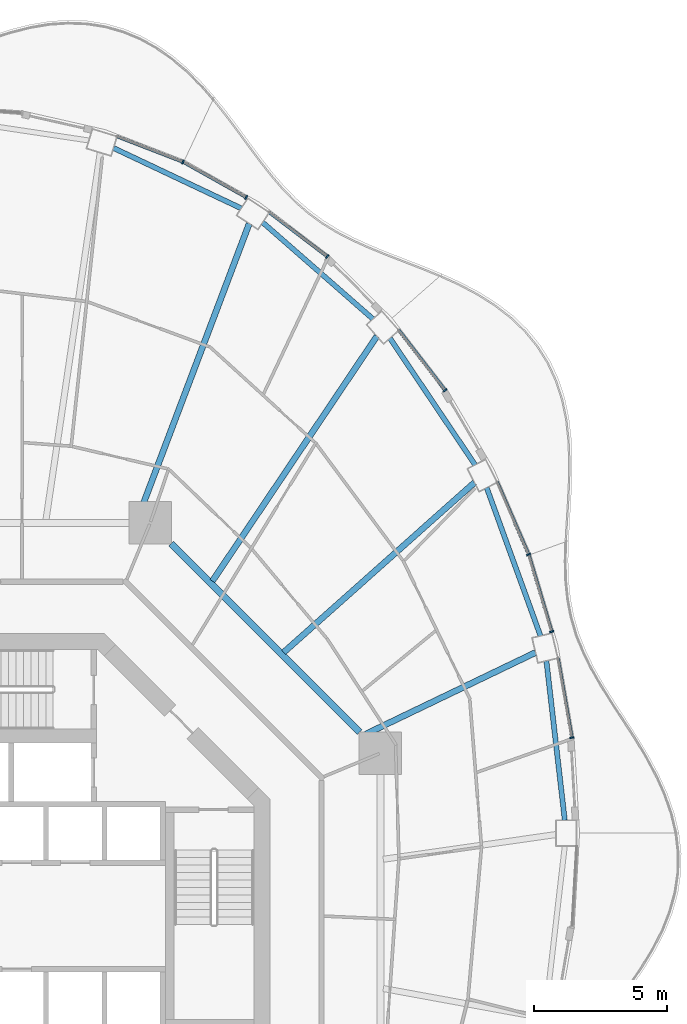
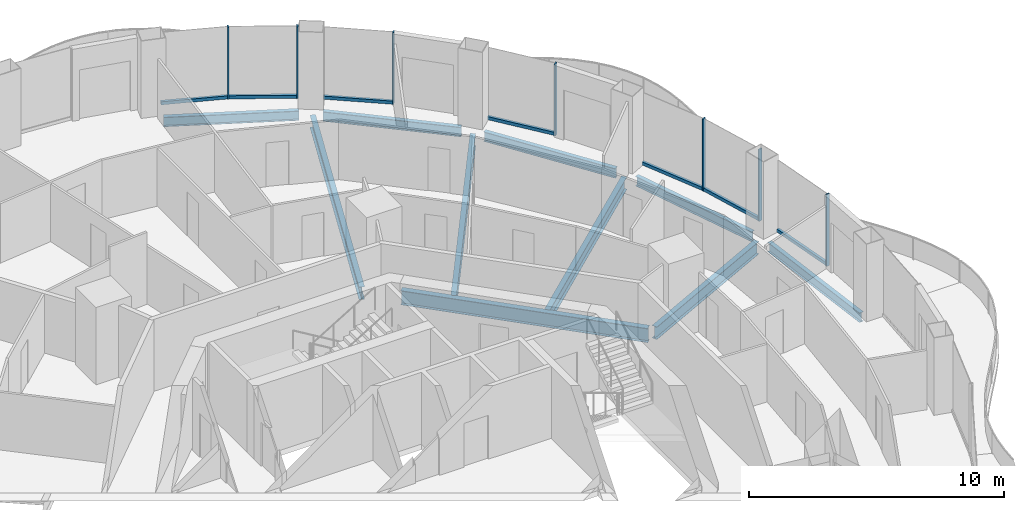
# One storey, part 7 of 18: 14 members, 10 beams, 7 elements without a shape of their own.
"""IFC4 building model written with IfcOpenShell, lengths in metres."""

import ifcopenshell
import ifcopenshell.guid

model = None  # the IFC model being written
_history = None  # IfcOwnerHistory: only IFC2X3 demands one
_inside = {}  # id of a spatial element -> (the spatial element, [elements in it])
_under = {}  # id of a project, library or spatial element -> (it, [spatial elements below it])
_declared = {}  # id of a project -> (the project, [libraries it declares])
_typed = {}  # id of a type object -> (the type object, [elements of that type])
_made_of = {}  # id of a material, layer set ... -> (it, [elements and type objects made of it])


def new_model(schema):
    """Start an empty IFC model of exactly this schema.

    Asked for "IFC4X3", IfcOpenShell would pick the latest addendum, in which some entities
    have other attributes; the version numbers below select the first issue.
    IFC2X3 requires an IfcOwnerHistory on every rooted entity: one is made here for all.
    """
    global model, _history
    if schema == "IFC4X3":
        model = ifcopenshell.file(schema_version=(4, 3, 0, 0))
    else:
        model = ifcopenshell.file(schema=schema)
    _inside.clear()
    _under.clear()
    _declared.clear()
    _typed.clear()
    _made_of.clear()
    _history = None
    if model.schema == "IFC2X3":
        org = make("IfcOrganization", Name="unknown")
        user = make(
            "IfcPersonAndOrganization",
            ThePerson=make("IfcPerson", FamilyName="unknown"),
            TheOrganization=org,
        )
        app = make(
            "IfcApplication",
            ApplicationDeveloper=org,
            Version="unknown",
            ApplicationFullName="unknown",
            ApplicationIdentifier="unknown",
        )
        _history = make(
            "IfcOwnerHistory",
            OwningUser=user,
            OwningApplication=app,
            ChangeAction="ADDED",
            CreationDate=0,
        )
    return model


def make(cls, **values):
    """One entity of the class cls with the attributes given. An attribute that is None is left unset."""
    return model.create_entity(
        cls, **{name: value for name, value in values.items() if value is not None}
    )


def rooted(cls, **values):
    """An entity with a GlobalId (a new one), such as an element, a storey or a relation."""
    return make(cls, GlobalId=ifcopenshell.guid.new(), OwnerHistory=_history, **values)


def si_unit(unit_type, name, prefix=None):
    """IfcSIUnit, for example si_unit("LENGTHUNIT", "METRE", prefix="MILLI")."""
    return make("IfcSIUnit", UnitType=unit_type, Prefix=prefix, Name=name)


def assignment(units):
    """IfcUnitAssignment: the units of a project."""
    return None if units is None else make("IfcUnitAssignment", Units=units)


def point(xyz):
    """IfcCartesianPoint."""
    return None if xyz is None else make("IfcCartesianPoint", Coordinates=xyz)


def direction(xyz):
    """IfcDirection."""
    return None if xyz is None else make("IfcDirection", DirectionRatios=xyz)


def frame(location, z_axis=None, x_axis=None):
    """IfcAxis2Placement3D, a coordinate frame: its origin and axes. An axis left out is left unset."""
    return make(
        "IfcAxis2Placement3D",
        Location=point(location),
        Axis=direction(z_axis),
        RefDirection=direction(x_axis),
    )


def frame_2d(location, x_axis=None):
    """IfcAxis2Placement2D, a coordinate frame in the plane: its origin and x axis."""
    return make(
        "IfcAxis2Placement2D", Location=point(location), RefDirection=direction(x_axis)
    )


def origin():
    """The frame at (0, 0, 0) with its axes left unset."""
    return frame((0.0, 0.0, 0.0))


def origin_2d():
    """The frame at (0, 0) in the plane with its x axis left unset."""
    return frame_2d((0.0, 0.0))


def place(relative_to, where):
    """IfcLocalPlacement: puts the frame where relative to a parent placement (None: the world)."""
    return make(
        "IfcLocalPlacement", PlacementRelTo=relative_to, RelativePlacement=where
    )


def context(
    kind, dimensions, precision=None, world=None, true_north=None, identifier=None
):
    """IfcGeometricRepresentationContext, for example the 3D "Model" context."""
    return make(
        "IfcGeometricRepresentationContext",
        ContextIdentifier=identifier,
        ContextType=kind,
        CoordinateSpaceDimension=dimensions,
        Precision=precision,
        WorldCoordinateSystem=world,
        TrueNorth=true_north,
    )


def subcontext(parent, identifier, kind, view, scale=None):
    """IfcGeometricRepresentationSubContext, for example "Body" below "Model"."""
    return make(
        "IfcGeometricRepresentationSubContext",
        ContextIdentifier=identifier,
        ContextType=kind,
        ParentContext=parent,
        TargetScale=scale,
        TargetView=view,
    )


def project(units=None, contexts=None):
    """IfcProject with its units and contexts."""
    return rooted(
        "IfcProject",
        Name="project",
        RepresentationContexts=contexts,
        UnitsInContext=assignment(units),
    )


def spatial(cls, under=None, at=None, **own):
    """A site, building, storey or space (cls), placed at a placement, below another one or the project."""
    s = rooted(cls, ObjectPlacement=at, **own)
    if under is not None:
        _under.setdefault(under.id(), (under, []))[1].append(s)
    return s


def profile(cls, at=None, kind="AREA", **sizes):
    """A parametric profile (cls). Its sizes go by their IFC names, for example OverallWidth=200.0."""
    return make(cls, ProfileType=kind, Position=at, **sizes)


def rectangle(**sizes):
    """IfcRectangleProfileDef."""
    return profile("IfcRectangleProfileDef", **sizes)


def i_section(**sizes):
    """IfcIShapeProfileDef."""
    return profile("IfcIShapeProfileDef", **sizes)


def extrude(swept, where, along, depth):
    """IfcExtrudedAreaSolid: the profile swept, set in the frame where, extruded along a direction by depth."""
    return make(
        "IfcExtrudedAreaSolid",
        SweptArea=swept,
        Position=where,
        ExtrudedDirection=direction(along),
        Depth=depth,
    )


def shape(context_of_items, identifier, shape_type, items):
    """IfcShapeRepresentation: the items that make up one representation, for example the "Body"."""
    return make(
        "IfcShapeRepresentation",
        ContextOfItems=context_of_items,
        RepresentationIdentifier=identifier,
        RepresentationType=shape_type,
        Items=items,
    )


def material(Name=None, Category=None):
    """IfcMaterial."""
    return make("IfcMaterial", Name=Name, Category=Category)


def layer(
    of_material, thickness, ventilated=None, Name=None, Category=None, Priority=None
):
    """IfcMaterialLayer: one layer of a wall or slab, of a material (None: an air gap)."""
    return make(
        "IfcMaterialLayer",
        Material=of_material,
        LayerThickness=thickness,
        IsVentilated=ventilated,
        Name=Name,
        Category=Category,
        Priority=Priority,
    )


def layer_set(layers, Name=None):
    """IfcMaterialLayerSet."""
    return make("IfcMaterialLayerSet", MaterialLayers=layers, LayerSetName=Name)


def material_profile(
    of_material, cross_section, Name=None, Category=None, Priority=None
):
    """IfcMaterialProfile: a cross section and its material."""
    return make(
        "IfcMaterialProfile",
        Name=Name,
        Material=of_material,
        Profile=cross_section,
        Priority=Priority,
        Category=Category,
    )


def profile_set(profiles, Name=None, composite=None):
    """IfcMaterialProfileSet."""
    return make(
        "IfcMaterialProfileSet",
        Name=Name,
        MaterialProfiles=profiles,
        CompositeProfile=composite,
    )


def made_of(thing, what):
    """Note that an element or type object is made of a material, layer set ...; save() writes the relation."""
    if what is not None:
        _made_of.setdefault(what.id(), (what, []))[1].append(thing)
    return thing


def type_object(cls, material=None, **own):
    """A type object (cls), such as IfcWallType, which elements share."""
    return made_of(rooted(cls, **own), material)


def element(
    cls,
    number,
    at=None,
    inside=None,
    cuts=None,
    type_object=None,
    material=None,
    context=None,
    identifier="Body",
    shape_type=None,
    held_by="IfcProductDefinitionShape",
    body=None,
    shapes=None,
    **own,
):
    """One element of the class cls, such as IfcWall. Its Tag is "e" and its number.

    at: its placement. inside: the storey or other place that contains it. cuts: it is an
    opening in that element (IfcRelVoidsElement). A single representation is given by context,
    identifier, shape_type and body (its items); several are given by shapes. held_by: the class
    of the entity that holds the representations. save() writes the other relations.
    """
    e = rooted(cls, Tag="e%d" % number, ObjectPlacement=at, **own)
    if body is not None:
        shapes = [shape(context, identifier, shape_type, body)]
    if shapes is not None:
        e.Representation = make(held_by, Representations=shapes)
    if inside is not None:
        _inside.setdefault(inside.id(), (inside, []))[1].append(e)
    if cuts is not None:
        rooted(
            "IfcRelVoidsElement", RelatingBuildingElement=cuts, RelatedOpeningElement=e
        )
    if type_object is not None:
        _typed.setdefault(type_object.id(), (type_object, []))[1].append(e)
    return made_of(e, material)


def aggregate(whole, parts):
    """IfcRelAggregates: a whole, such as a stair, and the parts it consists of."""
    return rooted("IfcRelAggregates", RelatingObject=whole, RelatedObjects=parts)


def save(model, path):
    """Write the relations noted so far, then the file.

    IfcRelAggregates (storeys below a building ...), IfcRelContainedInSpatialStructure (elements
    in a storey), IfcRelDefinesByType, IfcRelAssociatesMaterial and IfcRelDeclares: one each for
    every whole, place, type object, material and project.
    """
    for whole, parts in _under.values():
        aggregate(whole, parts)
    for where, things in _inside.values():
        rooted(
            "IfcRelContainedInSpatialStructure",
            RelatedElements=things,
            RelatingStructure=where,
        )
    for kind, things in _typed.values():
        rooted("IfcRelDefinesByType", RelatedObjects=things, RelatingType=kind)
    for what, things in _made_of.values():
        rooted("IfcRelAssociatesMaterial", RelatedObjects=things, RelatingMaterial=what)
    for by, libraries in _declared.values():
        rooted("IfcRelDeclares", RelatingContext=by, RelatedDefinitions=libraries)
    model.write(path)


model = new_model("IFC4")

# Units and contexts
model_context = context("Model", 3, precision=1e-05, world=origin(), true_north=direction((0.0, 1.0)))
body_context = subcontext(model_context, "Body", "Model", "MODEL_VIEW")
ifc_project = project(units=[si_unit("LENGTHUNIT", "METRE"), si_unit("AREAUNIT", "SQUARE_METRE"), si_unit("VOLUMEUNIT", "CUBIC_METRE"), si_unit("PLANEANGLEUNIT", "RADIAN"), si_unit("MASSUNIT", "GRAM", prefix="KILO")], contexts=[model_context])

# Site, building, storey
site_placement = place(None, origin())
site = spatial("IfcSite", under=ifc_project, at=site_placement, CompositionType="ELEMENT")
building_placement = place(site_placement, origin())
building = spatial("IfcBuilding", under=site, at=building_placement, Name="Nagisa Residences", CompositionType="ELEMENT")
storey_placement = place(building_placement, frame((0.0, 0.0, 241.800048828125)))
storey = spatial("IfcBuildingStorey", under=building, at=storey_placement, Name="L61", CompositionType="ELEMENT", Elevation=241.800048828125)

# Curtain wall, member
ifc_material_1 = material(Name="Concrete-coloured aluminium curtain wall system", Category="concrete")
ifc_layer = layer(ifc_material_1, 0.159912109375)
ifc_layer_set = layer_set([ifc_layer], Name="CW1 CURTAIN WALL")
curtain_wall_type = type_object("IfcCurtainWallType", Name="CW1 CURTAIN WALL", PredefinedType="NOTDEFINED", material=ifc_layer_set)
curtain_wall_1_placement = place(storey_placement, origin())
curtain_wall_1 = element("IfcCurtainWall", 1, at=curtain_wall_1_placement, inside=storey, type_object=curtain_wall_type, Name="cw:CW1:L61:01", PredefinedType="NOTDEFINED")
ifc_material_2 = material(Name="Concrete-coloured aluminium", Category="concrete")
ifc_material_profile_1 = material_profile(ifc_material_2, rectangle(XDim=0.159912109375, YDim=0.06005859375, at=origin_2d()), Name="CW1 MULLION 160x60")
ifc_profile_set_1 = profile_set([ifc_material_profile_1], Name="Concrete-coloured aluminium")
member_type_1 = type_object("IfcMemberType", Name="CW1 MULLION 160x60", PredefinedType="MULLION", material=ifc_profile_set_1)
member_1_placement = place(storey_placement, frame((21.980224609375, 6.70849609375, 0.0), z_axis=(0.0, 0.0, 1.0), x_axis=(-0.985063604377, -0.172190868898, 0.0)))
member_1 = element("IfcMember", 2, at=member_1_placement, type_object=member_type_1, Name="CW1 mullion", PredefinedType="MULLION", context=body_context, shape_type="SweptSolid", body=[
    extrude(rectangle(XDim=0.159912109375, YDim=0.06005859375, at=origin_2d()), origin(), (0.0, 0.0, 1.0), 3.43994140625),
])

curtain_wall_2_placement = place(storey_placement, origin())
curtain_wall_2 = element("IfcCurtainWall", 3, at=curtain_wall_2_placement, inside=storey, type_object=curtain_wall_type, Name="cw:CW1:L61:02", PredefinedType="NOTDEFINED")
member_2_placement = place(storey_placement, frame((21.2216796875, 10.691650390625, 0.0), z_axis=(0.0, 0.0, 1.0), x_axis=(-0.958271310082, -0.285860274038, 0.0)))
member_2 = element("IfcMember", 4, at=member_2_placement, type_object=member_type_1, Name="CW1 mullion", PredefinedType="MULLION", context=body_context, shape_type="SweptSolid", body=[
    extrude(rectangle(XDim=0.159912109375, YDim=0.06005859375, at=origin_2d()), origin(), (0.0, 0.0, 1.0), 3.43994140625),
])

curtain_wall_3_placement = place(storey_placement, origin())
curtain_wall_3 = element("IfcCurtainWall", 5, at=curtain_wall_3_placement, inside=storey, type_object=curtain_wall_type, Name="cw:CW1:L61:03", PredefinedType="NOTDEFINED")
member_3_placement = place(storey_placement, frame((20.3525390625, 13.59521484375, 0.0), z_axis=(0.0, 0.0, 1.0), x_axis=(-0.917543276295, -0.397635934147, 0.0)))
member_3 = element("IfcMember", 6, at=member_3_placement, type_object=member_type_1, Name="CW1 mullion", PredefinedType="MULLION", context=body_context, shape_type="SweptSolid", body=[
    extrude(rectangle(XDim=0.159912109375, YDim=0.06005859375, at=origin_2d()), origin(), (0.0, 0.0, 1.0), 3.43994140625),
])

curtain_wall_4_placement = place(storey_placement, origin())
curtain_wall_4 = element("IfcCurtainWall", 7, at=curtain_wall_4_placement, inside=storey, type_object=curtain_wall_type, Name="cw:CW1:L61:05", PredefinedType="NOTDEFINED")
member_4_placement = place(storey_placement, frame((17.21435546875, 19.7666015625, 0.0), z_axis=(0.0, 0.0, 1.0), x_axis=(-0.792070340816, -0.610429828235, 0.0)))
member_4 = element("IfcMember", 8, at=member_4_placement, type_object=member_type_1, Name="CW1 mullion", PredefinedType="MULLION", context=body_context, shape_type="SweptSolid", body=[
    extrude(rectangle(XDim=0.159912109375, YDim=0.06005859375, at=origin_2d()), origin(), (0.0, 0.0, 1.0), 3.43994140625),
])

curtain_wall_5_placement = place(storey_placement, origin())
curtain_wall_5 = element("IfcCurtainWall", 9, at=curtain_wall_5_placement, inside=storey, type_object=curtain_wall_type, Name="cw:CW1:L61:07", PredefinedType="NOTDEFINED")
member_5_placement = place(storey_placement, frame((12.780517578125, 24.802001953125, 0.0), z_axis=(0.0, 0.0, 1.0), x_axis=(-0.605255421737, -0.79603132756, 0.0)))
member_5 = element("IfcMember", 10, at=member_5_placement, type_object=member_type_1, Name="CW1 mullion", PredefinedType="MULLION", context=body_context, shape_type="SweptSolid", body=[
    extrude(rectangle(XDim=0.159912109375, YDim=0.06005859375, at=origin_2d()), origin(), (0.0, 0.0, 1.0), 3.43994140625),
])

curtain_wall_6_placement = place(storey_placement, origin())
curtain_wall_6 = element("IfcCurtainWall", 11, at=curtain_wall_6_placement, inside=storey, type_object=curtain_wall_type, Name="cw:CW1:L61:08", PredefinedType="NOTDEFINED")
member_6_placement = place(storey_placement, frame((9.733642578125, 27.02783203125, 0.0), z_axis=(0.0, 0.0, 1.0), x_axis=(-0.489376918501, -0.872072377523, 0.0)))
member_6 = element("IfcMember", 12, at=member_6_placement, type_object=member_type_1, Name="CW1 mullion", PredefinedType="MULLION", context=body_context, shape_type="SweptSolid", body=[
    extrude(rectangle(XDim=0.159912109375, YDim=0.06005859375, at=origin_2d()), origin(), (0.0, 0.0, 1.0), 3.43994140625),
])

curtain_wall_7_placement = place(storey_placement, origin())
curtain_wall_7 = element("IfcCurtainWall", 13, at=curtain_wall_7_placement, inside=storey, type_object=curtain_wall_type, Name="cw:CW1:L61:09", PredefinedType="NOTDEFINED")
member_7_placement = place(storey_placement, frame((7.3544921875, 28.35888671875, 0.0), z_axis=(0.0, 0.0, 1.0), x_axis=(-0.360327770268, -0.932825759707, 0.0)))
member_7 = element("IfcMember", 14, at=member_7_placement, type_object=member_type_1, Name="CW1 mullion", PredefinedType="MULLION", context=body_context, shape_type="SweptSolid", body=[
    extrude(rectangle(XDim=0.159912109375, YDim=0.06005859375, at=origin_2d()), origin(), (0.0, 0.0, 1.0), 3.43994140625),
])

# Member
ifc_material_3 = material(Name="Concrete-coloured aluminium", Category="concrete")
ifc_material_profile_2 = material_profile(ifc_material_3, rectangle(XDim=0.1201171875, YDim=0.14990234375, at=origin_2d()), Name="CW1 TRANSOM 120x150")
ifc_profile_set_2 = profile_set([ifc_material_profile_2], Name="Concrete-coloured aluminium")
member_type_2 = type_object("IfcMemberType", Name="CW1 TRANSOM 120x150", PredefinedType="USERDEFINED", material=ifc_profile_set_2)
member_8_placement = place(storey_placement, frame((21.9853515625, 6.678955078125, 0.074951171875), z_axis=(-0.172241318156, 0.985054784426, 0.0), x_axis=(-0.985054784426, -0.172241318156, 0.0)))
member_8 = element("IfcMember", 15, at=member_8_placement, type_object=member_type_2, Name="CW1 transom", ObjectType="TRANSOM", PredefinedType="USERDEFINED", context=body_context, shape_type="SweptSolid", body=[
    extrude(rectangle(XDim=0.1201171875, YDim=0.14990234375, at=origin_2d()), origin(), (0.0, 0.0, 1.0), 3.0673828125),
])

aggregate(curtain_wall_1, [member_1, member_8])

member_9_placement = place(storey_placement, frame((21.230224609375, 10.6630859375, 0.074951171875), z_axis=(-0.285881452443, 0.958264992134, 0.0), x_axis=(-0.958264992134, -0.285881452443, 0.0)))
member_9 = element("IfcMember", 16, at=member_9_placement, type_object=member_type_2, Name="CW1 transom", ObjectType="TRANSOM", PredefinedType="USERDEFINED", context=body_context, shape_type="SweptSolid", body=[
    extrude(rectangle(XDim=0.1201171875, YDim=0.14990234375, at=origin_2d()), origin(), (0.0, 0.0, 1.0), 3.040283203125),
])

aggregate(curtain_wall_2, [member_2, member_9])

member_10_placement = place(storey_placement, frame((20.3642578125, 13.567626953125, 0.074951171875), z_axis=(-0.397616567135, 0.917551669139, 0.0), x_axis=(-0.917551669139, -0.397616567135, 0.0)))
member_10 = element("IfcMember", 17, at=member_10_placement, type_object=member_type_2, Name="CW1 transom", ObjectType="TRANSOM", PredefinedType="USERDEFINED", context=body_context, shape_type="SweptSolid", body=[
    extrude(rectangle(XDim=0.1201171875, YDim=0.14990234375, at=origin_2d()), origin(), (0.0, 0.0, 1.0), 3.001953125),
])

aggregate(curtain_wall_3, [member_3, member_10])

member_11_placement = place(storey_placement, frame((17.232666015625, 19.742919921875, 0.074951171875), z_axis=(-0.610438565676, 0.792063607001, 0.0), x_axis=(-0.792063607001, -0.610438565676, 0.0)))
member_11 = element("IfcMember", 18, at=member_11_placement, type_object=member_type_2, Name="CW1 transom", ObjectType="TRANSOM", PredefinedType="USERDEFINED", context=body_context, shape_type="SweptSolid", body=[
    extrude(rectangle(XDim=0.1201171875, YDim=0.14990234375, at=origin_2d()), origin(), (0.0, 0.0, 1.0), 2.90087890625),
])

aggregate(curtain_wall_4, [member_4, member_11])

member_12_placement = place(storey_placement, frame((12.804443359375, 24.783935546875, 0.074951171875), z_axis=(-0.795990084031, 0.60530966135, 0.0), x_axis=(-0.60530966135, -0.795990084031, 0.0)))
member_12 = element("IfcMember", 19, at=member_12_placement, type_object=member_type_2, Name="CW1 transom", ObjectType="TRANSOM", PredefinedType="USERDEFINED", context=body_context, shape_type="SweptSolid", body=[
    extrude(rectangle(XDim=0.1201171875, YDim=0.14990234375, at=origin_2d()), origin(), (0.0, 0.0, 1.0), 2.78857421875),
])

aggregate(curtain_wall_5, [member_5, member_12])

member_13_placement = place(storey_placement, frame((9.759765625, 27.012939453125, 0.074951171875), z_axis=(-0.872041873719, 0.489431272479, 0.0), x_axis=(-0.489431272479, -0.872041873719, 0.0)))
member_13 = element("IfcMember", 20, at=member_13_placement, type_object=member_type_2, Name="CW1 transom", ObjectType="TRANSOM", PredefinedType="USERDEFINED", context=body_context, shape_type="SweptSolid", body=[
    extrude(rectangle(XDim=0.1201171875, YDim=0.14990234375, at=origin_2d()), origin(), (0.0, 0.0, 1.0), 2.738037109375),
])

aggregate(curtain_wall_6, [member_6, member_13])

member_14_placement = place(storey_placement, frame((7.38232421875, 28.34814453125, 0.074951171875), z_axis=(-0.932826499224, 0.360325855782, 0.0), x_axis=(-0.360325855782, -0.932826499224, 0.0)))
member_14 = element("IfcMember", 21, at=member_14_placement, type_object=member_type_2, Name="CW1 transom", ObjectType="TRANSOM", PredefinedType="USERDEFINED", context=body_context, shape_type="SweptSolid", body=[
    extrude(rectangle(XDim=0.1201171875, YDim=0.14990234375, at=origin_2d()), origin(), (0.0, 0.0, 1.0), 2.696044921875),
])

aggregate(curtain_wall_7, [member_7, member_14])

# Beams
ifc_material_4 = material(Name="Steel ASTM A572 Gr 50", Category="steel")
ifc_material_profile_3 = material_profile(ifc_material_4, i_section(OverallWidth=0.2529296875, OverallDepth=0.677978515625, WebThickness=0.01171875, FlangeThickness=0.016357421875, at=origin_2d()), Name="W690x125")
ifc_profile_set_3 = profile_set([ifc_material_profile_3], Name="Steel ASTM A572 Gr 50")
beam_type_1 = type_object("IfcBeamType", Name="Inner ring beam W690x125", PredefinedType="BEAM", material=ifc_profile_set_3)
beam_1_placement = place(storey_placement, frame((13.99609375, 6.90869140625, -0.59912109375), z_axis=(-0.707106781187, 0.707106781187, 0.0), x_axis=(-0.707106781187, -0.707106781187, 0.0)))
element("IfcBeam", 22, at=beam_1_placement, inside=storey, type_object=beam_type_1, Name="beam:L61:ib1", PredefinedType="BEAM", context=body_context, shape_type="SweptSolid", body=[
    extrude(i_section(OverallWidth=0.2529296875, OverallDepth=0.677978515625, WebThickness=0.01171875, FlangeThickness=0.016357421875, at=origin_2d()), origin(), (0.0, 0.0, 1.0), 10.023193359375),
])
ifc_material_5 = material(Name="Steel ASTM A572 Gr 50", Category="steel")
ifc_material_profile_4 = material_profile(ifc_material_5, i_section(OverallWidth=0.18994140625, OverallDepth=0.45703125, WebThickness=0.009033203125, FlangeThickness=0.014404296875, at=origin_2d()), Name="W460x74")
ifc_profile_set_4 = profile_set([ifc_material_profile_4], Name="Steel ASTM A572 Gr 50")
beam_type_2 = type_object("IfcBeamType", Name="Perimeter ring beam W460x74", PredefinedType="BEAM", material=ifc_profile_set_4)
beam_2_placement = place(storey_placement, frame((21.714599609375, 3.597900390625, -0.488525390625), z_axis=(-0.114650193512, 0.993405925656, 0.0), x_axis=(-0.993405925656, -0.114650193512, 0.0)))
element("IfcBeam", 23, at=beam_2_placement, inside=storey, type_object=beam_type_2, Name="beam:L61:pb01", PredefinedType="BEAM", context=body_context, shape_type="SweptSolid", body=[
    extrude(i_section(OverallWidth=0.18994140625, OverallDepth=0.45703125, WebThickness=0.009033203125, FlangeThickness=0.014404296875, at=origin_2d()), origin(), (0.0, 0.0, 1.0), 6.0390625),
])
beam_3_placement = place(storey_placement, frame((20.802001953125, 10.53173828125, -0.488525390625), z_axis=(-0.34127712749, 0.939962723863, 0.0), x_axis=(-0.939962723863, -0.34127712749, 0.0)))
element("IfcBeam", 24, at=beam_3_placement, inside=storey, type_object=beam_type_2, Name="beam:L61:pb02", PredefinedType="BEAM", context=body_context, shape_type="SweptSolid", body=[
    extrude(i_section(OverallWidth=0.18994140625, OverallDepth=0.45703125, WebThickness=0.009033203125, FlangeThickness=0.014404296875, at=origin_2d()), origin(), (0.0, 0.0, 1.0), 5.9326171875),
])
beam_4_placement = place(storey_placement, frame((18.34228515625, 16.964111328125, -0.488525390625), z_axis=(-0.558109119402, 0.829767564345, 0.0), x_axis=(-0.829767564345, -0.558109119402, 0.0)))
element("IfcBeam", 25, at=beam_4_placement, inside=storey, type_object=beam_type_2, Name="beam:L61:pb03", PredefinedType="BEAM", context=body_context, shape_type="SweptSolid", body=[
    extrude(i_section(OverallWidth=0.18994140625, OverallDepth=0.45703125, WebThickness=0.009033203125, FlangeThickness=0.014404296875, at=origin_2d()), origin(), (0.0, 0.0, 1.0), 5.74365234375),
])
beam_5_placement = place(storey_placement, frame((14.502197265625, 22.45068359375, -0.488525390625), z_axis=(-0.75242320672, 0.65867998147, 0.0), x_axis=(-0.65867998147, -0.75242320672, 0.0)))
element("IfcBeam", 26, at=beam_5_placement, inside=storey, type_object=beam_type_2, Name="beam:L61:pb04", PredefinedType="BEAM", context=body_context, shape_type="SweptSolid", body=[
    extrude(i_section(OverallWidth=0.18994140625, OverallDepth=0.45703125, WebThickness=0.009033203125, FlangeThickness=0.014404296875, at=origin_2d()), origin(), (0.0, 0.0, 1.0), 5.5185546875),
])
beam_6_placement = place(storey_placement, frame((9.546630859375, 26.6123046875, -0.488525390625), z_axis=(-0.904133867308, 0.42724928319, 0.0), x_axis=(-0.42724928319, -0.904133867308, 0.0)))
element("IfcBeam", 27, at=beam_6_placement, inside=storey, type_object=beam_type_2, Name="beam:L61:pb05", PredefinedType="BEAM", context=body_context, shape_type="SweptSolid", body=[
    extrude(i_section(OverallWidth=0.18994140625, OverallDepth=0.45703125, WebThickness=0.009033203125, FlangeThickness=0.014404296875, at=origin_2d()), origin(), (0.0, 0.0, 1.0), 5.317138671875),
])
ifc_material_6 = material(Name="Steel ASTM A572 Gr 50", Category="steel")
ifc_material_profile_5 = material_profile(ifc_material_6, i_section(OverallWidth=0.22802734375, OverallDepth=0.60302734375, WebThickness=0.010498046875, FlangeThickness=0.014892578125, at=origin_2d()), Name="W610x101")
ifc_profile_set_5 = profile_set([ifc_material_profile_5], Name="Steel ASTM A572 Gr 50")
beam_type_3 = type_object("IfcBeamType", Name="Radial beam W610x101", PredefinedType="BEAM", material=ifc_profile_set_5)
beam_7_placement = place(storey_placement, frame((20.61572265625, 9.90869140625, -0.5615234375), z_axis=(-0.901297388138, -0.433200898124, 0.0), x_axis=(0.433200898124, -0.901297388138, 0.0)))
element("IfcBeam", 28, at=beam_7_placement, inside=storey, type_object=beam_type_3, Name="beam:L61:rb02", PredefinedType="BEAM", context=body_context, shape_type="SweptSolid", body=[
    extrude(i_section(OverallWidth=0.22802734375, OverallDepth=0.60302734375, WebThickness=0.010498046875, FlangeThickness=0.014892578125, at=origin_2d()), origin(), (0.0, 0.0, 1.0), 7.09423828125),
])
beam_8_placement = place(storey_placement, frame((18.318115234375, 16.301025390625, -0.5615234375), z_axis=(-0.747027831774, -0.664792763615, 0.0), x_axis=(0.664792763615, -0.747027831774, 0.0)))
element("IfcBeam", 29, at=beam_8_placement, inside=storey, type_object=beam_type_3, Name="beam:L61:rb03", PredefinedType="BEAM", context=body_context, shape_type="SweptSolid", body=[
    extrude(i_section(OverallWidth=0.22802734375, OverallDepth=0.60302734375, WebThickness=0.010498046875, FlangeThickness=0.014892578125, at=origin_2d()), origin(), (0.0, 0.0, 1.0), 9.607177734375),
])
beam_9_placement = place(storey_placement, frame((14.64697265625, 21.804931640625, -0.5615234375), z_axis=(-0.557606656779, -0.830105304354, 0.0), x_axis=(0.830105304354, -0.557606656779, 0.0)))
element("IfcBeam", 30, at=beam_9_placement, inside=storey, type_object=beam_type_3, Name="beam:L61:rb04", PredefinedType="BEAM", context=body_context, shape_type="SweptSolid", body=[
    extrude(i_section(OverallWidth=0.22802734375, OverallDepth=0.60302734375, WebThickness=0.010498046875, FlangeThickness=0.014892578125, at=origin_2d()), origin(), (0.0, 0.0, 1.0), 11.09423828125),
])
beam_10_placement = place(storey_placement, frame((9.84716796875, 26.04052734375, -0.5615234375), z_axis=(-0.353700839295, -0.935358603041, 0.0), x_axis=(0.935358603041, -0.353700839295, 0.0)))
element("IfcBeam", 31, at=beam_10_placement, inside=storey, type_object=beam_type_3, Name="beam:L61:rb05", PredefinedType="BEAM", context=body_context, shape_type="SweptSolid", body=[
    extrude(i_section(OverallWidth=0.22802734375, OverallDepth=0.60302734375, WebThickness=0.010498046875, FlangeThickness=0.014892578125, at=origin_2d()), origin(), (0.0, 0.0, 1.0), 11.921142578125),
])

save(model, "model.ifc")
